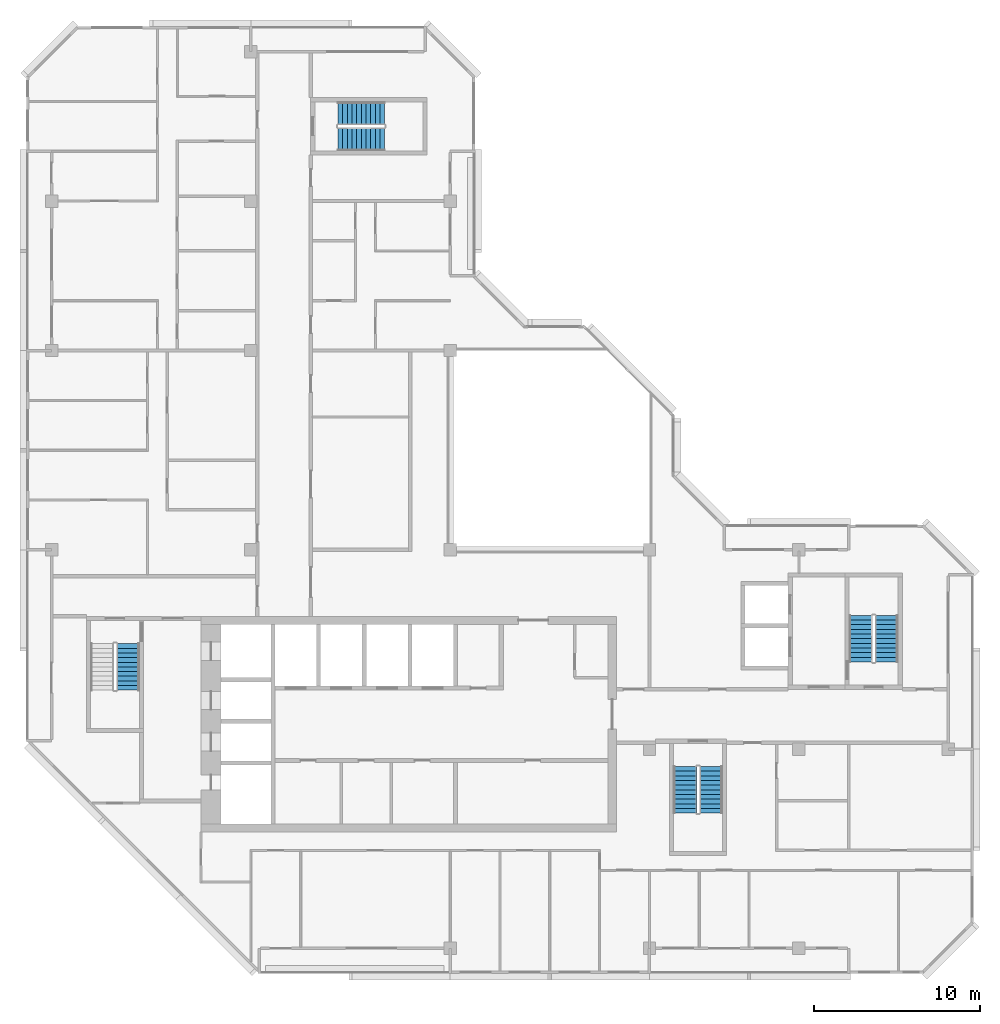
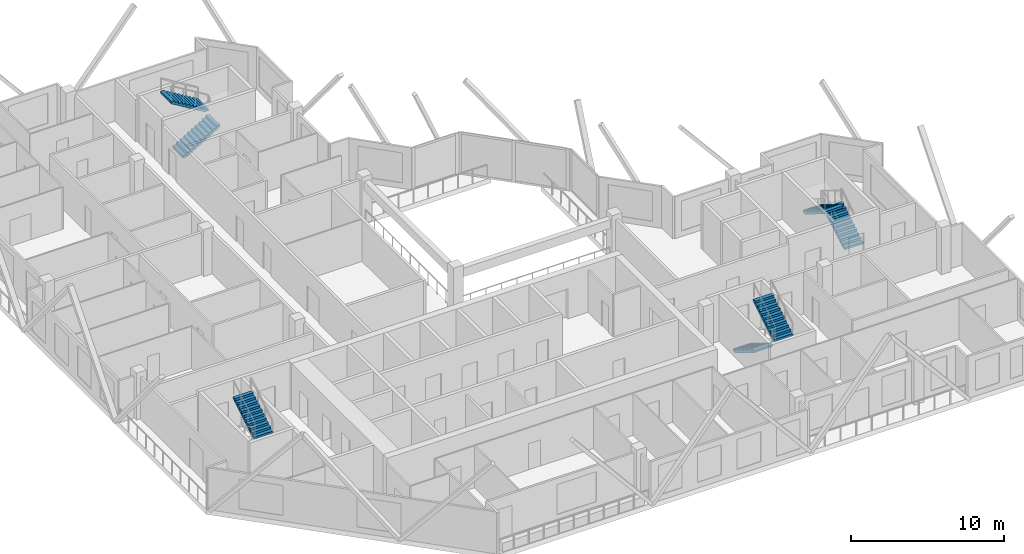
# One storey, part 10 of 12: 7 stair flights, 4 elements without a shape of their own.
"""IFC4 building model written with IfcOpenShell, lengths in metres."""

from ifc_helpers import new_model, si_unit, direction, frame, origin, place, context, subcontext, project, spatial, polyline, outline, extrude, material, type_object, element, aggregate, save


model = new_model("IFC4")

# Units and contexts
model_context = context("Model", 3, precision=1e-05, world=origin(), true_north=direction((0.0, 1.0)))
body_context = subcontext(model_context, "Body", "Model", "MODEL_VIEW")
ifc_project = project(units=[si_unit("LENGTHUNIT", "METRE"), si_unit("AREAUNIT", "SQUARE_METRE"), si_unit("VOLUMEUNIT", "CUBIC_METRE"), si_unit("PLANEANGLEUNIT", "RADIAN"), si_unit("MASSUNIT", "GRAM", prefix="KILO")], contexts=[model_context])

# Site, building, storey
site_placement = place(None, origin())
site = spatial("IfcSite", under=ifc_project, at=site_placement, CompositionType="ELEMENT")
building_placement = place(site_placement, origin())
building = spatial("IfcBuilding", under=site, at=building_placement, Name="Chenar Terraces", CompositionType="ELEMENT")
storey_placement = place(building_placement, frame((0.0, 0.0, 361.39990234375)))
storey = spatial("IfcBuildingStorey", under=building, at=storey_placement, Name="L84", CompositionType="ELEMENT", Elevation=361.39990234375)

# Stair, stair flight
ifc_material_1 = material(Name="Reinforced concrete C40/50", Category="concrete")
stair_type = type_object("IfcStairType", Name="Core stair 1400 half-turn", PredefinedType="HALF_TURN_STAIR", material=ifc_material_1)
placement = place(storey_placement, origin())
stair_1 = element("IfcStair", 1, at=placement, inside=storey, type_object=stair_type, Name="L84 Stair 1", PredefinedType="HALF_TURN_STAIR")
ifc_material_2 = material(Name="Reinforced concrete C40/50", Category="concrete")
stair_flight_type = type_object("IfcStairFlightType", Name="Core stair flight 1400", PredefinedType="STRAIGHT", material=ifc_material_2)
stair_flight_1_placement = place(storey_placement, frame((4.60009765625, 15.550048828125, 1.875), z_axis=(0.0, 0.0, 1.0), x_axis=(0.0, 1.0, 0.0)))
stair_flight_1 = element("IfcStairFlight", 2, at=stair_flight_1_placement, type_object=stair_flight_type, Name="ST1 flight 2", NumberOfRisers=11, NumberOfTreads=10, PredefinedType="STRAIGHT", RiserHeight=0.170454545, TreadLength=0.28, context=body_context, shape_type="SweptSolid", body=[
    extrude(outline(polyline([(-0.0029296875, 0.0), (-0.0029296875, 0.17041015625), (0.0, 0.17041015625), (0.280029296875, 0.17041015625), (0.280029296875, 0.3408203125), (0.56005859375, 0.3408203125), (0.56005859375, 0.511474609375), (0.840087890625, 0.511474609375), (0.840087890625, 0.681884765625), (1.1201171875, 0.681884765625), (1.1201171875, 0.852294921875), (1.39990234375, 0.852294921875), (1.39990234375, 1.022705078125), (1.679931640625, 1.022705078125), (1.679931640625, 1.193115234375), (1.9599609375, 1.193115234375), (1.9599609375, 1.363525390625), (2.239990234375, 1.363525390625), (2.239990234375, 1.5341796875), (2.52001953125, 1.5341796875), (2.52001953125, 1.70458984375), (2.800048828125, 1.70458984375), (2.802978515625, 1.70458984375), (2.802978515625, 1.529052734375), (2.800048828125, 1.529052734375), (0.288330078125, 0.0), (-0.0029296875, 0.0)])), frame((0.0, 0.699951171875, 0.0), z_axis=(0.0, -1.0, 0.0), x_axis=(1.0, 0.0, 0.0)), (0.0, 0.0, 1.0), 1.39990234375),
])
aggregate(stair_1, [stair_flight_1])

# Stair, stair flights
stair_2 = element("IfcStair", 3, at=placement, inside=storey, type_object=stair_type, Name="L84 Stair 2", PredefinedType="HALF_TURN_STAIR")
stair_flight_2_placement = place(storey_placement, frame((38.14990234375, 10.949951171875, 0.0), z_axis=(0.0, 0.0, 1.0), x_axis=(0.0, -1.0, 0.0)))
stair_flight_2 = element("IfcStairFlight", 4, at=stair_flight_2_placement, type_object=stair_flight_type, Name="ST2 flight 1", NumberOfRisers=11, NumberOfTreads=10, PredefinedType="STRAIGHT", RiserHeight=0.170454545, TreadLength=0.28, context=body_context, shape_type="SweptSolid", body=[
    extrude(outline(polyline([(-0.0029296875, 0.0), (-0.0029296875, 0.17041015625), (0.0, 0.17041015625), (0.280029296875, 0.17041015625), (0.280029296875, 0.3408203125), (0.56005859375, 0.3408203125), (0.56005859375, 0.511474609375), (0.840087890625, 0.511474609375), (0.840087890625, 0.681884765625), (1.1201171875, 0.681884765625), (1.1201171875, 0.852294921875), (1.39990234375, 0.852294921875), (1.39990234375, 1.022705078125), (1.679931640625, 1.022705078125), (1.679931640625, 1.193115234375), (1.9599609375, 1.193115234375), (1.9599609375, 1.363525390625), (2.239990234375, 1.363525390625), (2.239990234375, 1.5341796875), (2.52001953125, 1.5341796875), (2.52001953125, 1.70458984375), (2.800048828125, 1.70458984375), (2.802978515625, 1.70458984375), (2.802978515625, 1.529052734375), (2.800048828125, 1.529052734375), (0.288330078125, 0.0), (-0.0029296875, 0.0)])), frame((0.0, 0.699951171875, 0.0), z_axis=(0.0, -1.0, 0.0), x_axis=(1.0, 0.0, 0.0)), (0.0, 0.0, 1.0), 1.39990234375),
])
stair_flight_3_placement = place(storey_placement, frame((39.699951171875, 8.14990234375, 1.875), z_axis=(0.0, 0.0, 1.0), x_axis=(0.0, 1.0, 0.0)))
stair_flight_3 = element("IfcStairFlight", 5, at=stair_flight_3_placement, type_object=stair_flight_type, Name="ST2 flight 2", NumberOfRisers=11, NumberOfTreads=10, PredefinedType="STRAIGHT", RiserHeight=0.170454545, TreadLength=0.28, context=body_context, shape_type="SweptSolid", body=[
    extrude(outline(polyline([(-0.0029296875, 0.0), (-0.0029296875, 0.17041015625), (0.0, 0.17041015625), (0.280029296875, 0.17041015625), (0.280029296875, 0.3408203125), (0.56005859375, 0.3408203125), (0.56005859375, 0.511474609375), (0.840087890625, 0.511474609375), (0.840087890625, 0.681884765625), (1.1201171875, 0.681884765625), (1.1201171875, 0.852294921875), (1.39990234375, 0.852294921875), (1.39990234375, 1.022705078125), (1.679931640625, 1.022705078125), (1.679931640625, 1.193115234375), (1.9599609375, 1.193115234375), (1.9599609375, 1.363525390625), (2.239990234375, 1.363525390625), (2.239990234375, 1.5341796875), (2.52001953125, 1.5341796875), (2.52001953125, 1.70458984375), (2.800048828125, 1.70458984375), (2.802978515625, 1.70458984375), (2.802978515625, 1.529052734375), (2.800048828125, 1.529052734375), (0.288330078125, 0.0), (-0.0029296875, 0.0)])), frame((0.0, 0.699951171875, 0.0), z_axis=(0.0, -1.0, 0.0), x_axis=(1.0, 0.0, 0.0)), (0.0, 0.0, 1.0), 1.39990234375),
])
aggregate(stair_2, [stair_flight_2, stair_flight_3])

stair_3 = element("IfcStair", 6, at=placement, inside=storey, type_object=stair_type, Name="L84 Stair 3", PredefinedType="HALF_TURN_STAIR")
stair_flight_4_placement = place(storey_placement, frame((50.27490234375, 17.25, 0.0), z_axis=(0.0, 0.0, 1.0), x_axis=(0.0, 1.0, 0.0)))
stair_flight_4 = element("IfcStairFlight", 7, at=stair_flight_4_placement, type_object=stair_flight_type, Name="ST3 flight 1", NumberOfRisers=11, NumberOfTreads=10, PredefinedType="STRAIGHT", RiserHeight=0.170454545, TreadLength=0.28, context=body_context, shape_type="SweptSolid", body=[
    extrude(outline(polyline([(-0.0029296875, 0.0), (-0.0029296875, 0.17041015625), (0.0, 0.17041015625), (0.280029296875, 0.17041015625), (0.280029296875, 0.3408203125), (0.56005859375, 0.3408203125), (0.56005859375, 0.511474609375), (0.840087890625, 0.511474609375), (0.840087890625, 0.681884765625), (1.1201171875, 0.681884765625), (1.1201171875, 0.852294921875), (1.39990234375, 0.852294921875), (1.39990234375, 1.022705078125), (1.679931640625, 1.022705078125), (1.679931640625, 1.193115234375), (1.9599609375, 1.193115234375), (1.9599609375, 1.363525390625), (2.239990234375, 1.363525390625), (2.239990234375, 1.5341796875), (2.52001953125, 1.5341796875), (2.52001953125, 1.70458984375), (2.800048828125, 1.70458984375), (2.802978515625, 1.70458984375), (2.802978515625, 1.529052734375), (2.800048828125, 1.529052734375), (0.288330078125, 0.0), (-0.0029296875, 0.0)])), frame((0.0, 0.699951171875, 0.0), z_axis=(0.0, -1.0, 0.0), x_axis=(1.0, 0.0, 0.0)), (0.0, 0.0, 1.0), 1.39990234375),
])
stair_flight_5_placement = place(storey_placement, frame((48.72509765625, 20.050048828125, 1.875), z_axis=(0.0, 0.0, 1.0), x_axis=(0.0, -1.0, 0.0)))
stair_flight_5 = element("IfcStairFlight", 8, at=stair_flight_5_placement, type_object=stair_flight_type, Name="ST3 flight 2", NumberOfRisers=11, NumberOfTreads=10, PredefinedType="STRAIGHT", RiserHeight=0.170454545, TreadLength=0.28, context=body_context, shape_type="SweptSolid", body=[
    extrude(outline(polyline([(-0.0029296875, 0.0), (-0.0029296875, 0.17041015625), (0.0, 0.17041015625), (0.280029296875, 0.17041015625), (0.280029296875, 0.3408203125), (0.56005859375, 0.3408203125), (0.56005859375, 0.511474609375), (0.840087890625, 0.511474609375), (0.840087890625, 0.681884765625), (1.1201171875, 0.681884765625), (1.1201171875, 0.852294921875), (1.39990234375, 0.852294921875), (1.39990234375, 1.022705078125), (1.679931640625, 1.022705078125), (1.679931640625, 1.193115234375), (1.9599609375, 1.193115234375), (1.9599609375, 1.363525390625), (2.239990234375, 1.363525390625), (2.239990234375, 1.5341796875), (2.52001953125, 1.5341796875), (2.52001953125, 1.70458984375), (2.800048828125, 1.70458984375), (2.802978515625, 1.70458984375), (2.802978515625, 1.529052734375), (2.800048828125, 1.529052734375), (0.288330078125, 0.0), (-0.0029296875, 0.0)])), frame((0.0, 0.699951171875, 0.0), z_axis=(0.0, -1.0, 0.0), x_axis=(1.0, 0.0, 0.0)), (0.0, 0.0, 1.0), 1.39990234375),
])
aggregate(stair_3, [stair_flight_4, stair_flight_5])

stair_4 = element("IfcStair", 9, at=placement, inside=storey, type_object=stair_type, Name="L84 Stair 4", PredefinedType="HALF_TURN_STAIR")
stair_flight_6_placement = place(storey_placement, frame((17.25, 48.72509765625, 0.0), z_axis=(0.0, 0.0, 1.0), x_axis=(1.0, 0.0, 0.0)))
stair_flight_6 = element("IfcStairFlight", 10, at=stair_flight_6_placement, type_object=stair_flight_type, Name="ST4 flight 1", NumberOfRisers=11, NumberOfTreads=10, PredefinedType="STRAIGHT", RiserHeight=0.170454545, TreadLength=0.28, context=body_context, shape_type="SweptSolid", body=[
    extrude(outline(polyline([(-0.0029296875, 0.0), (-0.0029296875, 0.17041015625), (0.0, 0.17041015625), (0.280029296875, 0.17041015625), (0.280029296875, 0.3408203125), (0.56005859375, 0.3408203125), (0.56005859375, 0.511474609375), (0.840087890625, 0.511474609375), (0.840087890625, 0.681884765625), (1.1201171875, 0.681884765625), (1.1201171875, 0.852294921875), (1.39990234375, 0.852294921875), (1.39990234375, 1.022705078125), (1.679931640625, 1.022705078125), (1.679931640625, 1.193115234375), (1.9599609375, 1.193115234375), (1.9599609375, 1.363525390625), (2.239990234375, 1.363525390625), (2.239990234375, 1.5341796875), (2.52001953125, 1.5341796875), (2.52001953125, 1.70458984375), (2.800048828125, 1.70458984375), (2.802978515625, 1.70458984375), (2.802978515625, 1.529052734375), (2.800048828125, 1.529052734375), (0.288330078125, 0.0), (-0.0029296875, 0.0)])), frame((0.0, 0.699951171875, 0.0), z_axis=(0.0, -1.0, 0.0), x_axis=(1.0, 0.0, 0.0)), (0.0, 0.0, 1.0), 1.39990234375),
])
stair_flight_7_placement = place(storey_placement, frame((20.050048828125, 50.27490234375, 1.875), z_axis=(0.0, 0.0, 1.0), x_axis=(-1.0, 0.0, 0.0)))
stair_flight_7 = element("IfcStairFlight", 11, at=stair_flight_7_placement, type_object=stair_flight_type, Name="ST4 flight 2", NumberOfRisers=11, NumberOfTreads=10, PredefinedType="STRAIGHT", RiserHeight=0.170454545, TreadLength=0.28, context=body_context, shape_type="SweptSolid", body=[
    extrude(outline(polyline([(-0.0029296875, 0.0), (-0.0029296875, 0.17041015625), (0.0, 0.17041015625), (0.280029296875, 0.17041015625), (0.280029296875, 0.3408203125), (0.56005859375, 0.3408203125), (0.56005859375, 0.511474609375), (0.840087890625, 0.511474609375), (0.840087890625, 0.681884765625), (1.1201171875, 0.681884765625), (1.1201171875, 0.852294921875), (1.39990234375, 0.852294921875), (1.39990234375, 1.022705078125), (1.679931640625, 1.022705078125), (1.679931640625, 1.193115234375), (1.9599609375, 1.193115234375), (1.9599609375, 1.363525390625), (2.239990234375, 1.363525390625), (2.239990234375, 1.5341796875), (2.52001953125, 1.5341796875), (2.52001953125, 1.70458984375), (2.800048828125, 1.70458984375), (2.802978515625, 1.70458984375), (2.802978515625, 1.529052734375), (2.800048828125, 1.529052734375), (0.288330078125, 0.0), (-0.0029296875, 0.0)])), frame((0.0, 0.699951171875, 0.0), z_axis=(0.0, -1.0, 0.0), x_axis=(1.0, 0.0, 0.0)), (0.0, 0.0, 1.0), 1.39990234375),
])
aggregate(stair_4, [stair_flight_6, stair_flight_7])

save(model, "model.ifc")
